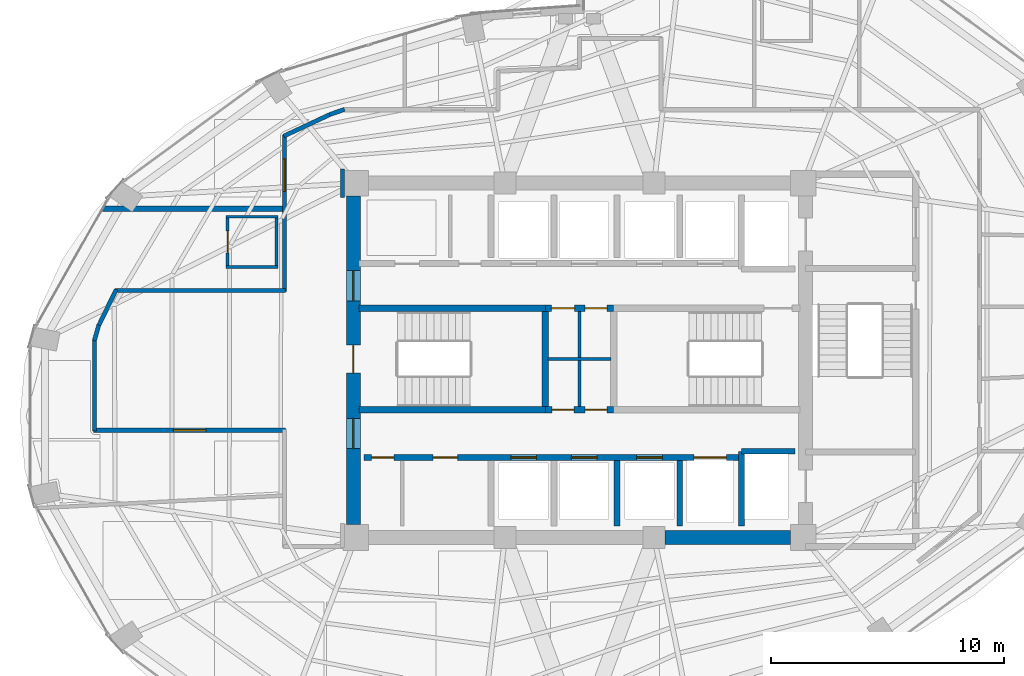
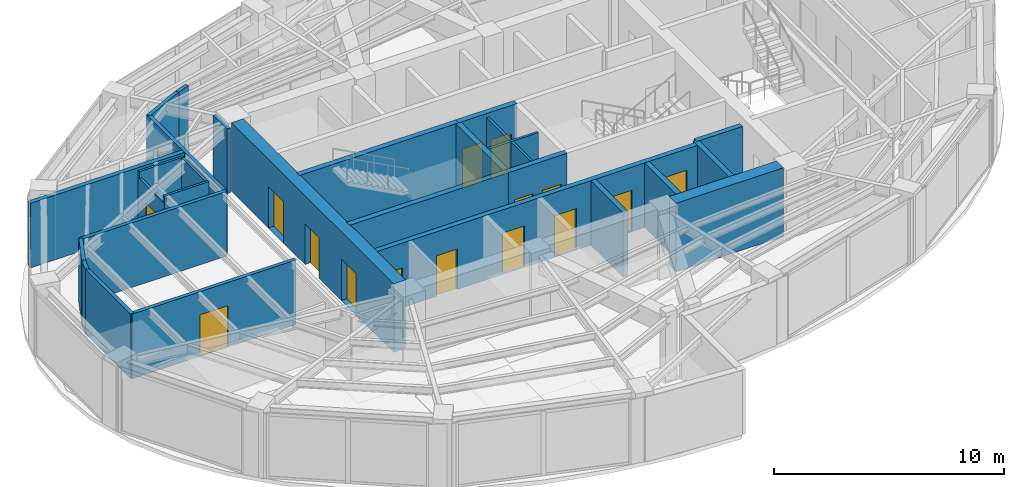
# One storey, part 16 of 20: 28 walls, 16 doors, 16 openings.
"""IFC4 building model written with IfcOpenShell, lengths in metres."""

from ifc_helpers import new_model, si_unit, direction, frame, frame_2d, origin, place, context, subcontext, project, spatial, rectangle, extrude, material, layer, layer_set, type_object, element, fill, save


model = new_model("IFC4")

# Units and contexts
model_context = context("Model", 3, precision=1e-05, world=origin(), true_north=direction((0.0, 1.0)))
body_context = subcontext(model_context, "Body", "Model", "MODEL_VIEW")
ifc_project = project(units=[si_unit("LENGTHUNIT", "METRE"), si_unit("AREAUNIT", "SQUARE_METRE"), si_unit("VOLUMEUNIT", "CUBIC_METRE"), si_unit("PLANEANGLEUNIT", "RADIAN"), si_unit("MASSUNIT", "GRAM", prefix="KILO")], contexts=[model_context])

# Site, building, storey
site_placement = place(None, origin())
site = spatial("IfcSite", under=ifc_project, at=site_placement, CompositionType="ELEMENT")
building_placement = place(site_placement, origin())
building = spatial("IfcBuilding", under=site, at=building_placement, Name="Lazwardi Medical Tower", CompositionType="ELEMENT")
storey_placement = place(building_placement, frame((0.0, 0.0, 141.93603515625)))
storey = spatial("IfcBuildingStorey", under=building, at=storey_placement, Name="L36", CompositionType="ELEMENT", Elevation=141.93603515625)

# Walls
ifc_material_1 = material(Name="Fire-rated gypsum board on steel stud", Category="steel")
ifc_layer_1 = layer(ifc_material_1, 0.179931640625)
ifc_layer_set_1 = layer_set([ifc_layer_1], Name="Fire-rated gypsum board on steel stud")
wall_type_1 = type_object("IfcWallType", Name="WL-COR-180", PredefinedType="PARTITIONING", material=ifc_layer_set_1)
wall_1_placement = place(storey_placement, frame((15.350341796875, 29.435791015625, 0.0), z_axis=(0.0, 0.0, 1.0), x_axis=(0.436196025907, 0.899851669434, 0.0)))
element("IfcWall", 1, at=wall_1_placement, inside=storey, type_object=wall_type_1, Name="L36 Corridor partition 1", PredefinedType="PARTITIONING", context=body_context, shape_type="SweptSolid", body=[
    extrude(rectangle(XDim=1.778076171875, YDim=0.179931640625, at=frame_2d((0.88916015625, 0.0))), origin(), (0.0, 0.0, 1.0), 3.427978515625),
])
wall_2_placement = place(storey_placement, frame((16.068359375, 31.0, 0.0), z_axis=(0.0, 0.0, 1.0), x_axis=(1.0, 0.0, 0.0)))
element("IfcWall", 2, at=wall_2_placement, inside=storey, type_object=wall_type_1, Name="L36 Corridor partition 2", PredefinedType="PARTITIONING", context=body_context, shape_type="SweptSolid", body=[
    extrude(rectangle(XDim=7.321533203125, YDim=0.179931640625, at=frame_2d((3.66064453125, 0.0))), origin(), (0.0, 0.0, 1.0), 3.427978515625),
])

# Wall, opening, door
wall_3_placement = place(storey_placement, frame((23.35009765625, 30.9599609375, 0.0), z_axis=(0.0, 0.0, 1.0), x_axis=(0.0, 1.0, 0.0)))
wall_3 = element("IfcWall", 3, at=wall_3_placement, inside=storey, type_object=wall_type_1, Name="L36 Corridor partition 3", PredefinedType="PARTITIONING", context=body_context, shape_type="SweptSolid", body=[
    extrude(rectangle(XDim=6.7138671875, YDim=0.179931640625, at=frame_2d((3.35693359375, 0.0))), origin(), (0.0, 0.0, 1.0), 3.427978515625),
])
opening_1_placement = place(wall_3_placement, frame((4.285400390625, 0.0, 0.0)))
opening_1 = element("IfcOpeningElement", 4, at=opening_1_placement, cuts=wall_3, Name="Opening D-L36-023", PredefinedType="OPENING", context=body_context, shape_type="SweptSolid", body=[
    extrude(rectangle(XDim=1.39990234375, YDim=2.199951171875, at=frame_2d((0.699951171875, 1.10009765625))), frame((0.0, 0.099853515625, 0.0), z_axis=(0.0, -1.0, 0.0), x_axis=(1.0, 0.0, 0.0)), (0.0, 0.0, 1.0), 0.199951171875),
])
ifc_material_2 = material(Name="Anti-microbial laminate hospital leaf")
door_type_1 = type_object("IfcDoorType", Name="DR-BED-1400", OperationType="NOTDEFINED", PredefinedType="DOOR", material=ifc_material_2)
door_1_placement = place(opening_1_placement, origin())
door_1 = element("IfcDoor", 5, at=door_1_placement, inside=storey, type_object=door_type_1, Name="L36 Patient Bedroom Door 09", OperationType="SINGLE_SWING_LEFT", OverallHeight=2.199951171875, OverallWidth=1.39990234375, PredefinedType="DOOR", context=body_context, shape_type="SweptSolid", body=[
    extrude(rectangle(XDim=1.39990234375, YDim=2.199951171875, at=frame_2d((0.699951171875, 1.10009765625))), frame((0.0, 0.02490234375, 0.0), z_axis=(0.0, -1.0, 0.0), x_axis=(1.0, 0.0, 0.0)), (0.0, 0.0, 1.0), 0.050048828125),
])
fill(opening_1, door_1)

# Walls
wall_4_placement = place(storey_placement, frame((23.313720703125, 37.616943359375, 0.0), z_axis=(0.0, 0.0, 1.0), x_axis=(0.905731790856, 0.423851298255, 0.0)))
element("IfcWall", 6, at=wall_4_placement, inside=storey, type_object=wall_type_1, Name="L36 Corridor partition 4", PredefinedType="PARTITIONING", context=body_context, shape_type="SweptSolid", body=[
    extrude(rectangle(XDim=2.255126953125, YDim=0.179931640625, at=frame_2d((1.12744140625, 0.0))), origin(), (0.0, 0.0, 1.0), 3.427978515625),
])
wall_5_placement = place(storey_placement, frame((25.2822265625, 38.54248046875, 0.0), z_axis=(0.0, 0.0, 1.0), x_axis=(0.94508059942, 0.326837361085, 0.0)))
element("IfcWall", 7, at=wall_5_placement, inside=storey, type_object=wall_type_1, Name="L36 Corridor partition 5", PredefinedType="PARTITIONING", context=body_context, shape_type="SweptSolid", body=[
    extrude(rectangle(XDim=0.67529296875, YDim=0.179931640625, at=frame_2d((0.337646484375, 0.0))), origin(), (0.0, 0.0, 1.0), 3.427978515625),
])
wall_6_placement = place(storey_placement, frame((25.830078125, 36.2099609375, 0.0), z_axis=(0.0, 0.0, 1.0), x_axis=(0.0, -1.0, 0.0)))
element("IfcWall", 8, at=wall_6_placement, inside=storey, type_object=wall_type_1, Name="L36 Corridor partition 15", PredefinedType="PARTITIONING", context=body_context, shape_type="SweptSolid", body=[
    extrude(rectangle(XDim=1.219970703125, YDim=0.179931640625, at=frame_2d((0.60986328125, 0.0))), origin(), (0.0, 0.0, 1.0), 3.427978515625),
])

# Wall, opening, door
wall_7_placement = place(storey_placement, frame((23.389892578125, 25.0, 0.0), z_axis=(0.0, 0.0, 1.0), x_axis=(-1.0, 0.0, 0.0)))
wall_7 = element("IfcWall", 9, at=wall_7_placement, inside=storey, type_object=wall_type_1, Name="L36 Corridor partition 19", PredefinedType="PARTITIONING", context=body_context, shape_type="SweptSolid", body=[
    extrude(rectangle(XDim=8.22998046875, YDim=0.179931640625, at=frame_2d((4.114990234375, 0.0))), origin(), (0.0, 0.0, 1.0), 3.427978515625),
])
opening_2_placement = place(wall_7_placement, frame((3.4150390625, 0.0, 0.0)))
opening_2 = element("IfcOpeningElement", 10, at=opening_2_placement, cuts=wall_7, Name="Opening D-L36-015", PredefinedType="OPENING", context=body_context, shape_type="SweptSolid", body=[
    extrude(rectangle(XDim=1.39990234375, YDim=2.199951171875, at=frame_2d((0.699951171875, 1.10009765625))), frame((0.0, 0.099853515625, 0.0), z_axis=(0.0, -1.0, 0.0), x_axis=(1.0, 0.0, 0.0)), (0.0, 0.0, 1.0), 0.199951171875),
])
door_2_placement = place(opening_2_placement, origin())
door_2 = element("IfcDoor", 11, at=door_2_placement, inside=storey, type_object=door_type_1, Name="L36 Inpatient Ward Door 01", OperationType="SINGLE_SWING_RIGHT", OverallHeight=2.199951171875, OverallWidth=1.39990234375, PredefinedType="DOOR", context=body_context, shape_type="SweptSolid", body=[
    extrude(rectangle(XDim=1.39990234375, YDim=2.199951171875, at=frame_2d((0.699951171875, 1.10009765625))), frame((0.0, 0.02490234375, 0.0), z_axis=(0.0, -1.0, 0.0), x_axis=(1.0, 0.0, 0.0)), (0.0, 0.0, 1.0), 0.050048828125),
])
fill(opening_2, door_2)

# Walls
wall_8_placement = place(storey_placement, frame((15.199951171875, 24.9599609375, 0.0), z_axis=(0.0, 0.0, 1.0), x_axis=(0.0, 1.0, 0.0)))
element("IfcWall", 12, at=wall_8_placement, inside=storey, type_object=wall_type_1, Name="L36 Corridor partition 20", PredefinedType="PARTITIONING", context=body_context, shape_type="SweptSolid", body=[
    extrude(rectangle(XDim=3.961181640625, YDim=0.179931640625, at=frame_2d((1.98046875, 0.0))), origin(), (0.0, 0.0, 1.0), 3.427978515625),
])
wall_9_placement = place(storey_placement, frame((15.189208984375, 28.842529296875, 0.0), z_axis=(0.0, 0.0, 1.0), x_axis=(0.272862960331, 0.962052911684, 0.0)))
element("IfcWall", 13, at=wall_9_placement, inside=storey, type_object=wall_type_1, Name="L36 Corridor partition 21", PredefinedType="PARTITIONING", context=body_context, shape_type="SweptSolid", body=[
    extrude(rectangle(XDim=0.6943359375, YDim=0.179931640625, at=frame_2d((0.34716796875, 0.0))), origin(), (0.0, 0.0, 1.0), 3.427978515625),
])

# Wall, openings, doors
ifc_material_3 = material(Name="Concrete C60/75", Category="concrete")
ifc_layer_2 = layer(ifc_material_3, 0.60009765625)
ifc_layer_set_2 = layer_set([ifc_layer_2], Name="Concrete C60/75")
wall_type_2 = type_object("IfcWallType", Name="WL-CORE-600", PredefinedType="SHEAR", material=ifc_layer_set_2)
wall_10_placement = place(storey_placement, frame((26.300048828125, 20.949951171875, 0.0), z_axis=(0.0, 0.0, 1.0), x_axis=(0.0, 1.0, 0.0)))
wall_10 = element("IfcWall", 14, at=wall_10_placement, inside=storey, type_object=wall_type_2, Name="Core wall CW-S3 west L36", PredefinedType="SHEAR", context=body_context, shape_type="SweptSolid", body=[
    extrude(rectangle(XDim=14.10009765625, YDim=0.60009765625, at=frame_2d((7.050048828125, 0.0))), origin(), (0.0, 0.0, 1.0), 3.64794921875),
])
opening_3_placement = place(wall_10_placement, frame((6.5, 0.0, 0.0)))
opening_3 = element("IfcOpeningElement", 15, at=opening_3_placement, cuts=wall_10, Name="Opening D-L36-024", PredefinedType="OPENING", context=body_context, shape_type="SweptSolid", body=[
    extrude(rectangle(XDim=1.199951171875, YDim=2.14990234375, at=frame_2d((0.60009765625, 1.074951171875))), frame((0.0, 0.31005859375, 0.0), z_axis=(0.0, -1.0, 0.0), x_axis=(1.0, 0.0, 0.0)), (0.0, 0.0, 1.0), 0.6201171875),
])
opening_4_placement = place(wall_10_placement, frame((9.60009765625, 0.0, 0.0)))
opening_4 = element("IfcOpeningElement", 16, at=opening_4_placement, cuts=wall_10, Name="Opening D-L36-013", PredefinedType="OPENING", context=body_context, shape_type="SweptSolid", body=[
    extrude(rectangle(XDim=1.300048828125, YDim=2.199951171875, at=frame_2d((0.64990234375, 1.10009765625))), frame((0.0, 0.31005859375, 0.0), z_axis=(0.0, -1.0, 0.0), x_axis=(1.0, 0.0, 0.0)), (0.0, 0.0, 1.0), 0.6201171875),
])
opening_5_placement = place(wall_10_placement, frame((3.260009765625, 0.0, 0.0)))
opening_5 = element("IfcOpeningElement", 17, at=opening_5_placement, cuts=wall_10, Name="Opening D-L36-014", PredefinedType="OPENING", context=body_context, shape_type="SweptSolid", body=[
    extrude(rectangle(XDim=1.300048828125, YDim=2.199951171875, at=frame_2d((0.64990234375, 1.10009765625))), frame((0.0, 0.31005859375, 0.0), z_axis=(0.0, -1.0, 0.0), x_axis=(1.0, 0.0, 0.0)), (0.0, 0.0, 1.0), 0.6201171875),
])
ifc_material_4 = material(Name="Fire-rated steel leaf and frame", Category="steel")
door_type_2 = type_object("IfcDoorType", Name="DR-FFL-1300", OperationType="NOTDEFINED", PredefinedType="DOOR", material=ifc_material_4)
door_3_placement = place(opening_4_placement, origin())
door_3 = element("IfcDoor", 18, at=door_3_placement, inside=storey, type_object=door_type_2, Name="L36 North Lift Lobby Door", OperationType="SINGLE_SWING_RIGHT", OverallHeight=2.199951171875, OverallWidth=1.300048828125, PredefinedType="DOOR", context=body_context, shape_type="SweptSolid", body=[
    extrude(rectangle(XDim=1.300048828125, YDim=2.199951171875, at=frame_2d((0.64990234375, 1.10009765625))), frame((0.0, 0.02490234375, 0.0), z_axis=(0.0, -1.0, 0.0), x_axis=(1.0, 0.0, 0.0)), (0.0, 0.0, 1.0), 0.050048828125),
])
fill(opening_4, door_3)
door_4_placement = place(opening_5_placement, origin())
door_4 = element("IfcDoor", 19, at=door_4_placement, inside=storey, type_object=door_type_2, Name="L36 South Lift Lobby Door", OperationType="SINGLE_SWING_LEFT", OverallHeight=2.199951171875, OverallWidth=1.300048828125, PredefinedType="DOOR", context=body_context, shape_type="SweptSolid", body=[
    extrude(rectangle(XDim=1.300048828125, YDim=2.199951171875, at=frame_2d((0.64990234375, 1.10009765625))), frame((0.0, 0.02490234375, 0.0), z_axis=(0.0, -1.0, 0.0), x_axis=(1.0, 0.0, 0.0)), (0.0, 0.0, 1.0), 0.050048828125),
])
fill(opening_5, door_4)
door_type_3 = type_object("IfcDoorType", Name="DR-STR-1200", OperationType="NOTDEFINED", PredefinedType="DOOR", material=ifc_material_4)
door_5_placement = place(opening_3_placement, origin())
door_5 = element("IfcDoor", 20, at=door_5_placement, inside=storey, type_object=door_type_3, Name="L36 Exit Stair ST1 Door", OperationType="SINGLE_SWING_RIGHT", OverallHeight=2.14990234375, OverallWidth=1.199951171875, PredefinedType="DOOR", context=body_context, shape_type="SweptSolid", body=[
    extrude(rectangle(XDim=1.199951171875, YDim=2.14990234375, at=frame_2d((0.60009765625, 1.074951171875))), frame((0.0, 0.02490234375, 0.0), z_axis=(0.0, -1.0, 0.0), x_axis=(1.0, 0.0, 0.0)), (0.0, 0.0, 1.0), 0.050048828125),
])
fill(opening_3, door_5)

# Walls
wall_11_placement = place(storey_placement, frame((39.675048828125, 20.39990234375, 0.0), z_axis=(0.0, 0.0, 1.0), x_axis=(1.0, 0.0, 0.0)))
element("IfcWall", 21, at=wall_11_placement, inside=storey, type_object=wall_type_2, Name="Core wall CW-S3 S3 L36", PredefinedType="SHEAR", context=body_context, shape_type="SweptSolid", body=[
    extrude(rectangle(XDim=5.375, YDim=0.60009765625, at=frame_2d((2.6875, 0.0))), origin(), (0.0, 0.0, 1.0), 3.64794921875),
])
ifc_material_5 = material(Name="Moisture-resistant gypsum board partition")
ifc_layer_3 = layer(ifc_material_5, 0.125)
ifc_layer_set_3 = layer_set([ifc_layer_3], Name="Moisture-resistant gypsum board partition")
wall_type_3 = type_object("IfcWallType", Name="WL-ENS-125", PredefinedType="PARTITIONING", material=ifc_layer_set_3)
wall_12_placement = place(storey_placement, frame((34.64990234375, 28.06005859375, 0.0), z_axis=(0.0, 0.0, 1.0), x_axis=(1.0, 0.0, 0.0)))
element("IfcWall", 22, at=wall_12_placement, inside=storey, type_object=wall_type_3, Name="L36 Core 4-way H divider", PredefinedType="PARTITIONING", context=body_context, shape_type="SweptSolid", body=[
    extrude(rectangle(XDim=2.7001953125, YDim=0.125, at=frame_2d((1.35009765625, 0.0))), origin(), (0.0, 0.0, 1.0), 3.427978515625),
])
wall_13_placement = place(storey_placement, frame((36.0, 26.02001953125, 0.0), z_axis=(0.0, 0.0, 1.0), x_axis=(0.0, 1.0, 0.0)))
element("IfcWall", 23, at=wall_13_placement, inside=storey, type_object=wall_type_3, Name="L36 Core 4-way V divider", PredefinedType="PARTITIONING", context=body_context, shape_type="SweptSolid", body=[
    extrude(rectangle(XDim=4.080078125, YDim=0.125, at=frame_2d((2.0400390625, 0.0))), origin(), (0.0, 0.0, 1.0), 3.427978515625),
])
for number, where, z_axis, x_axis, name in (
    (24, (20.844970703125, 34.159912109375, 0.0), (0.0, 0.0, 1.0), (1.0, 0.0, 0.0), "L36 En-suite wall 1N"),
    (25, (20.844970703125, 32.0, 0.0), (0.0, 0.0, 1.0), (1.0, 0.0, 0.0), "L36 En-suite wall 1S"),
):
    element("IfcWall", number, at=place(storey_placement, frame(where, z_axis=z_axis, x_axis=x_axis)), inside=storey, type_object=wall_type_3, Name=name, PredefinedType="PARTITIONING", context=body_context, shape_type="SweptSolid", body=[
        extrude(rectangle(XDim=2.219970703125, YDim=0.125, at=frame_2d((1.10986328125, 0.0))), origin(), (0.0, 0.0, 1.0), 3.427978515625),
    ])
wall_14_placement = place(storey_placement, frame((23.0048828125, 31.93994140625, 0.0), z_axis=(0.0, 0.0, 1.0), x_axis=(0.0, 1.0, 0.0)))
element("IfcWall", 26, at=wall_14_placement, inside=storey, type_object=wall_type_3, Name="L36 En-suite wall 1E", PredefinedType="PARTITIONING", context=body_context, shape_type="SweptSolid", body=[
    extrude(rectangle(XDim=2.280029296875, YDim=0.125, at=frame_2d((1.14013671875, 0.0))), origin(), (0.0, 0.0, 1.0), 3.427978515625),
])

# Wall, opening, door
wall_15_placement = place(storey_placement, frame((20.905029296875, 31.93994140625, 0.0), z_axis=(0.0, 0.0, 1.0), x_axis=(0.0, 1.0, 0.0)))
wall_15 = element("IfcWall", 27, at=wall_15_placement, inside=storey, type_object=wall_type_3, Name="L36 En-suite wall 1W", PredefinedType="PARTITIONING", context=body_context, shape_type="SweptSolid", body=[
    extrude(rectangle(XDim=2.280029296875, YDim=0.125, at=frame_2d((1.14013671875, 0.0))), origin(), (0.0, 0.0, 1.0), 3.052978515625),
])
opening_6_placement = place(wall_15_placement, frame((0.6650390625, 0.0, 0.0)))
opening_6 = element("IfcOpeningElement", 28, at=opening_6_placement, cuts=wall_15, Name="Opening D-L36-005", PredefinedType="OPENING", context=body_context, shape_type="SweptSolid", body=[
    extrude(rectangle(XDim=0.949951171875, YDim=2.10009765625, at=frame_2d((0.47509765625, 1.050048828125))), frame((0.0, 0.072509765625, 0.0), z_axis=(0.0, -1.0, 0.0), x_axis=(1.0, 0.0, 0.0)), (0.0, 0.0, 1.0), 0.14501953125),
])
ifc_material_6 = material(Name="Moisture-resistant laminate door leaf")
door_type_4 = type_object("IfcDoorType", Name="DR-ENS-950", OperationType="NOTDEFINED", PredefinedType="DOOR", material=ifc_material_6)
door_6_placement = place(opening_6_placement, origin())
door_6 = element("IfcDoor", 29, at=door_6_placement, inside=storey, type_object=door_type_4, Name="L36 En-suite Door 01", OperationType="SINGLE_SWING_LEFT", OverallHeight=2.10009765625, OverallWidth=0.949951171875, PredefinedType="DOOR", context=body_context, shape_type="SweptSolid", body=[
    extrude(rectangle(XDim=0.949951171875, YDim=2.10009765625, at=frame_2d((0.47509765625, 1.050048828125))), frame((0.0, 0.02490234375, 0.0), z_axis=(0.0, -1.0, 0.0), x_axis=(1.0, 0.0, 0.0)), (0.0, 0.0, 1.0), 0.050048828125),
])
fill(opening_6, door_6)

# Wall, openings, doors
ifc_material_7 = material(Name="Autoclaved aerated concrete blockwork", Category="masonry")
ifc_layer_4 = layer(ifc_material_7, 0.25)
ifc_layer_set_4 = layer_set([ifc_layer_4], Name="Autoclaved aerated concrete blockwork")
wall_type_4 = type_object("IfcWallType", Name="WL-SHAFT-250", PredefinedType="SOLIDWALL", material=ifc_layer_set_4)
wall_16_placement = place(storey_placement, frame((26.75, 23.830078125, 0.0), z_axis=(0.0, 0.0, 1.0), x_axis=(1.0, 0.0, 0.0)))
wall_16 = element("IfcWall", 30, at=wall_16_placement, inside=storey, type_object=wall_type_4, Name="L36 South lift bank front wall", PredefinedType="SOLIDWALL", context=body_context, shape_type="SweptSolid", body=[
    extrude(rectangle(XDim=16.199951171875, YDim=0.25, at=frame_2d((8.10009765625, 0.0))), origin(), (0.0, 0.0, 1.0), 3.427978515625),
])
opening_7_placement = place(wall_16_placement, frame((0.3349609375, 0.0, 0.0)))
opening_7 = element("IfcOpeningElement", 31, at=opening_7_placement, cuts=wall_16, Name="Opening D-L36-009", PredefinedType="OPENING", context=body_context, shape_type="SweptSolid", body=[
    extrude(rectangle(XDim=0.949951171875, YDim=2.10009765625, at=frame_2d((0.47509765625, 1.050048828125))), frame((0.0, 0.135009765625, 0.0), z_axis=(0.0, -1.0, 0.0), x_axis=(1.0, 0.0, 0.0)), (0.0, 0.0, 1.0), 0.27001953125),
])
opening_8_placement = place(wall_16_placement, frame((2.97509765625, 0.0, 0.0)))
opening_8 = element("IfcOpeningElement", 32, at=opening_8_placement, cuts=wall_16, Name="Opening D-L36-010", PredefinedType="OPENING", context=body_context, shape_type="SweptSolid", body=[
    extrude(rectangle(XDim=1.050048828125, YDim=2.14990234375, at=frame_2d((0.52490234375, 1.074951171875))), frame((0.0, 0.135009765625, 0.0), z_axis=(0.0, -1.0, 0.0), x_axis=(1.0, 0.0, 0.0)), (0.0, 0.0, 1.0), 0.27001953125),
])
opening_9_placement = place(wall_16_placement, frame((6.300048828125, 0.0, 0.0)))
opening_9 = element("IfcOpeningElement", 33, at=opening_9_placement, cuts=wall_16, Name="Opening LD-L36-006", PredefinedType="OPENING", context=body_context, shape_type="SweptSolid", body=[
    extrude(rectangle(XDim=1.10009765625, YDim=2.199951171875, at=frame_2d((0.550048828125, 1.10009765625))), frame((0.0, 0.135009765625, 0.0), z_axis=(0.0, -1.0, 0.0), x_axis=(1.0, 0.0, 0.0)), (0.0, 0.0, 1.0), 0.27001953125),
])
opening_10_placement = place(wall_16_placement, frame((8.89990234375, 0.0, 0.0)))
opening_10 = element("IfcOpeningElement", 34, at=opening_10_placement, cuts=wall_16, Name="Opening LD-L36-007", PredefinedType="OPENING", context=body_context, shape_type="SweptSolid", body=[
    extrude(rectangle(XDim=1.10009765625, YDim=2.199951171875, at=frame_2d((0.550048828125, 1.10009765625))), frame((0.0, 0.135009765625, 0.0), z_axis=(0.0, -1.0, 0.0), x_axis=(1.0, 0.0, 0.0)), (0.0, 0.0, 1.0), 0.27001953125),
])
opening_11_placement = place(wall_16_placement, frame((11.699951171875, 0.0, 0.0)))
opening_11 = element("IfcOpeningElement", 35, at=opening_11_placement, cuts=wall_16, Name="Opening LD-L36-010", PredefinedType="OPENING", context=body_context, shape_type="SweptSolid", body=[
    extrude(rectangle(XDim=1.10009765625, YDim=2.199951171875, at=frame_2d((0.550048828125, 1.10009765625))), frame((0.0, 0.135009765625, 0.0), z_axis=(0.0, -1.0, 0.0), x_axis=(1.0, 0.0, 0.0)), (0.0, 0.0, 1.0), 0.27001953125),
])
opening_12_placement = place(wall_16_placement, frame((14.14990234375, 0.0, 0.0)))
opening_12 = element("IfcOpeningElement", 36, at=opening_12_placement, cuts=wall_16, Name="Opening LD-L36-003", PredefinedType="OPENING", context=body_context, shape_type="SweptSolid", body=[
    extrude(rectangle(XDim=1.39990234375, YDim=2.300048828125, at=frame_2d((0.699951171875, 1.14990234375))), frame((0.0, 0.135009765625, 0.0), z_axis=(0.0, -1.0, 0.0), x_axis=(1.0, 0.0, 0.0)), (0.0, 0.0, 1.0), 0.27001953125),
])
door_type_5 = type_object("IfcDoorType", Name="DR-CLN-1050", OperationType="NOTDEFINED", PredefinedType="DOOR", material=ifc_material_2)
door_7_placement = place(opening_8_placement, origin())
door_7 = element("IfcDoor", 37, at=door_7_placement, inside=storey, type_object=door_type_5, Name="L36 Medication Door", OperationType="SINGLE_SWING_LEFT", OverallHeight=2.14990234375, OverallWidth=1.050048828125, PredefinedType="DOOR", context=body_context, shape_type="SweptSolid", body=[
    extrude(rectangle(XDim=1.050048828125, YDim=2.14990234375, at=frame_2d((0.52490234375, 1.074951171875))), frame((0.0, 0.02490234375, 0.0), z_axis=(0.0, -1.0, 0.0), x_axis=(1.0, 0.0, 0.0)), (0.0, 0.0, 1.0), 0.050048828125),
])
fill(opening_8, door_7)
door_8_placement = place(opening_7_placement, origin())
door_8 = element("IfcDoor", 38, at=door_8_placement, inside=storey, type_object=door_type_4, Name="L36 Utility Door", OperationType="SINGLE_SWING_RIGHT", OverallHeight=2.10009765625, OverallWidth=0.949951171875, PredefinedType="DOOR", context=body_context, shape_type="SweptSolid", body=[
    extrude(rectangle(XDim=0.949951171875, YDim=2.10009765625, at=frame_2d((0.47509765625, 1.050048828125))), frame((0.0, 0.02490234375, 0.0), z_axis=(0.0, -1.0, 0.0), x_axis=(1.0, 0.0, 0.0)), (0.0, 0.0, 1.0), 0.050048828125),
])
fill(opening_7, door_8)
ifc_material_8 = material(Name="Brushed bronze stainless steel landing door", Category="steel")
door_type_6 = type_object("IfcDoorType", Name="DR-LFT-1100", OperationType="NOTDEFINED", PredefinedType="DOOR", material=ifc_material_8)
door_9_placement = place(opening_9_placement, origin())
door_9 = element("IfcDoor", 39, at=door_9_placement, inside=storey, type_object=door_type_6, Name="L36 Lift Landing Door PL-07", OperationType="SLIDING_TO_LEFT", OverallHeight=2.199951171875, OverallWidth=1.10009765625, PredefinedType="DOOR", context=body_context, shape_type="SweptSolid", body=[
    extrude(rectangle(XDim=1.10009765625, YDim=2.199951171875, at=frame_2d((0.550048828125, 1.10009765625))), frame((0.0, 0.02490234375, 0.0), z_axis=(0.0, -1.0, 0.0), x_axis=(1.0, 0.0, 0.0)), (0.0, 0.0, 1.0), 0.050048828125),
])
fill(opening_9, door_9)
door_10_placement = place(opening_10_placement, origin())
door_10 = element("IfcDoor", 40, at=door_10_placement, inside=storey, type_object=door_type_6, Name="L36 Lift Landing Door PL-08", OperationType="SLIDING_TO_LEFT", OverallHeight=2.199951171875, OverallWidth=1.10009765625, PredefinedType="DOOR", context=body_context, shape_type="SweptSolid", body=[
    extrude(rectangle(XDim=1.10009765625, YDim=2.199951171875, at=frame_2d((0.550048828125, 1.10009765625))), frame((0.0, 0.02490234375, 0.0), z_axis=(0.0, -1.0, 0.0), x_axis=(1.0, 0.0, 0.0)), (0.0, 0.0, 1.0), 0.050048828125),
])
fill(opening_10, door_10)
door_11_placement = place(opening_11_placement, origin())
door_11 = element("IfcDoor", 41, at=door_11_placement, inside=storey, type_object=door_type_6, Name="L36 Lift Landing Door PL-11", OperationType="SLIDING_TO_LEFT", OverallHeight=2.199951171875, OverallWidth=1.10009765625, PredefinedType="DOOR", context=body_context, shape_type="SweptSolid", body=[
    extrude(rectangle(XDim=1.10009765625, YDim=2.199951171875, at=frame_2d((0.550048828125, 1.10009765625))), frame((0.0, 0.02490234375, 0.0), z_axis=(0.0, -1.0, 0.0), x_axis=(1.0, 0.0, 0.0)), (0.0, 0.0, 1.0), 0.050048828125),
])
fill(opening_11, door_11)
ifc_material_9 = material(Name="Brushed stainless steel bed-lift landing door", Category="steel")
door_type_7 = type_object("IfcDoorType", Name="DR-LFT-1400", OperationType="NOTDEFINED", PredefinedType="DOOR", material=ifc_material_9)
door_12_placement = place(opening_12_placement, origin())
door_12 = element("IfcDoor", 42, at=door_12_placement, inside=storey, type_object=door_type_7, Name="L36 Lift Landing Door FL-03", OperationType="SLIDING_TO_LEFT", OverallHeight=2.300048828125, OverallWidth=1.39990234375, PredefinedType="DOOR", context=body_context, shape_type="SweptSolid", body=[
    extrude(rectangle(XDim=1.39990234375, YDim=2.300048828125, at=frame_2d((0.699951171875, 1.14990234375))), frame((0.0, 0.02490234375, 0.0), z_axis=(0.0, -1.0, 0.0), x_axis=(1.0, 0.0, 0.0)), (0.0, 0.0, 1.0), 0.050048828125),
])
fill(opening_12, door_12)

# Walls
wall_17_placement = place(storey_placement, frame((42.949951171875, 20.89990234375, 0.0), z_axis=(0.0, 0.0, 1.0), x_axis=(0.0, 1.0, 0.0)))
element("IfcWall", 43, at=wall_17_placement, inside=storey, type_object=wall_type_4, Name="L36 FL-02 West shaft wall", PredefinedType="SOLIDWALL", context=body_context, shape_type="SweptSolid", body=[
    extrude(rectangle(XDim=3.2001953125, YDim=0.25, at=frame_2d((1.60009765625, 0.0))), origin(), (0.0, 0.0, 1.0), 3.427978515625),
])
wall_18_placement = place(storey_placement, frame((42.949951171875, 24.10009765625, 0.0), z_axis=(0.0, 0.0, 1.0), x_axis=(1.0, 0.0, 0.0)))
element("IfcWall", 44, at=wall_18_placement, inside=storey, type_object=wall_type_4, Name="L36 FL-02 North shaft wall", PredefinedType="SOLIDWALL", context=body_context, shape_type="SweptSolid", body=[
    extrude(rectangle(XDim=2.300048828125, YDim=0.25, at=frame_2d((1.14990234375, 0.0))), origin(), (0.0, 0.0, 1.0), 3.427978515625),
])
for number, where, z_axis, x_axis, name in (
    (45, (37.60009765625, 20.89990234375, 0.0), (0.0, 0.0, 1.0), (0.0, 1.0, 0.0), "L36 South hoistway divider"),
    (46, (40.300048828125, 20.89990234375, 0.0), (0.0, 0.0, 1.0), (0.0, 1.0, 0.0), "L36 South hoistway divider"),
):
    element("IfcWall", number, at=place(storey_placement, frame(where, z_axis=z_axis, x_axis=x_axis)), inside=storey, type_object=wall_type_4, Name=name, PredefinedType="SOLIDWALL", context=body_context, shape_type="SweptSolid", body=[
        extrude(rectangle(XDim=2.800048828125, YDim=0.25, at=frame_2d((1.39990234375, 0.0))), origin(), (0.0, 0.0, 1.0), 3.427978515625),
    ])
ifc_layer_5 = layer(ifc_material_1, 0.219970703125)
ifc_layer_set_5 = layer_set([ifc_layer_5], Name="Fire-rated gypsum board on steel stud")
wall_type_5 = type_object("IfcWallType", Name="WL-SMK-220", PredefinedType="PARTITIONING", material=ifc_layer_set_5)
wall_19_placement = place(storey_placement, frame((15.5439453125, 34.5, 0.0), z_axis=(0.0, 0.0, 1.0), x_axis=(1.0, 0.0, 0.0)))
element("IfcWall", 47, at=wall_19_placement, inside=storey, type_object=wall_type_5, Name="L36 Room partition 2", PredefinedType="PARTITIONING", context=body_context, shape_type="SweptSolid", body=[
    extrude(rectangle(XDim=7.716064453125, YDim=0.219970703125, at=frame_2d((3.85791015625, 0.0))), origin(), (0.0, 0.0, 1.0), 3.427978515625),
])
ifc_material_10 = material(Name="Concrete C50/60", Category="concrete")
ifc_layer_6 = layer(ifc_material_10, 0.27001953125)
ifc_layer_set_6 = layer_set([ifc_layer_6], Name="Concrete C50/60")
wall_type_6 = type_object("IfcWallType", Name="WL-STR-250", PredefinedType="SHEAR", material=ifc_layer_set_6)
wall_20_placement = place(storey_placement, frame((26.550048828125, 30.235107421875, 0.0), z_axis=(0.0, 0.0, 1.0), x_axis=(1.0, 0.0, 0.0)))
element("IfcWall", 48, at=wall_20_placement, inside=storey, type_object=wall_type_6, Name="L36 ST1 North shear shaft wall SW-S1", PredefinedType="SHEAR", context=body_context, shape_type="SweptSolid", body=[
    extrude(rectangle(XDim=7.98486328125, YDim=0.27001953125, at=frame_2d((3.992431640625, 0.0))), origin(), (0.0, 0.0, 1.0), 3.64794921875),
])

# Wall, openings, doors
wall_21_placement = place(storey_placement, frame((34.534912109375, 30.235107421875, 0.0), z_axis=(0.0, 0.0, 1.0), x_axis=(1.0, 0.0, 0.0)))
wall_21 = element("IfcWall", 49, at=wall_21_placement, inside=storey, type_object=wall_type_6, Name="L36 Core service North shear wall SW-S1", PredefinedType="SHEAR", context=body_context, shape_type="SweptSolid", body=[
    extrude(rectangle(XDim=2.93017578125, YDim=0.27001953125, at=frame_2d((1.465087890625, 0.0))), origin(), (0.0, 0.0, 1.0), 3.64794921875),
])
opening_13_placement = place(wall_21_placement, frame((0.2548828125, 0.0, 0.0)))
opening_13 = element("IfcOpeningElement", 50, at=opening_13_placement, cuts=wall_21, Name="Opening D-L36-003", PredefinedType="OPENING", context=body_context, shape_type="SweptSolid", body=[
    extrude(rectangle(XDim=1.0, YDim=2.10009765625, at=frame_2d((0.5, 1.050048828125))), frame((0.0, 0.14501953125, 0.0), z_axis=(0.0, -1.0, 0.0), x_axis=(1.0, 0.0, 0.0)), (0.0, 0.0, 1.0), 0.2900390625),
])
opening_14_placement = place(wall_21_placement, frame((1.699951171875, 0.0, 0.0)))
opening_14 = element("IfcOpeningElement", 51, at=opening_14_placement, cuts=wall_21, Name="Opening D-L36-004", PredefinedType="OPENING", context=body_context, shape_type="SweptSolid", body=[
    extrude(rectangle(XDim=0.949951171875, YDim=2.10009765625, at=frame_2d((0.47509765625, 1.050048828125))), frame((0.0, 0.14501953125, 0.0), z_axis=(0.0, -1.0, 0.0), x_axis=(1.0, 0.0, 0.0)), (0.0, 0.0, 1.0), 0.2900390625),
])
door_type_8 = type_object("IfcDoorType", Name="DR-AWC-1000", OperationType="NOTDEFINED", PredefinedType="DOOR", material=ifc_material_6)
door_13_placement = place(opening_13_placement, origin())
door_13 = element("IfcDoor", 52, at=door_13_placement, inside=storey, type_object=door_type_8, Name="L36 Accessible WC Door", OperationType="SINGLE_SWING_RIGHT", OverallHeight=2.10009765625, OverallWidth=1.0, PredefinedType="DOOR", context=body_context, shape_type="SweptSolid", body=[
    extrude(rectangle(XDim=1.0, YDim=2.10009765625, at=frame_2d((0.5, 1.050048828125))), frame((0.0, 0.02490234375, 0.0), z_axis=(0.0, -1.0, 0.0), x_axis=(1.0, 0.0, 0.0)), (0.0, 0.0, 1.0), 0.050048828125),
])
fill(opening_13, door_13)
door_14_placement = place(opening_14_placement, origin())
door_14 = element("IfcDoor", 53, at=door_14_placement, inside=storey, type_object=door_type_4, Name="L36 Clean Utility Door", OperationType="SINGLE_SWING_LEFT", OverallHeight=2.10009765625, OverallWidth=0.949951171875, PredefinedType="DOOR", context=body_context, shape_type="SweptSolid", body=[
    extrude(rectangle(XDim=0.949951171875, YDim=2.10009765625, at=frame_2d((0.47509765625, 1.050048828125))), frame((0.0, 0.02490234375, 0.0), z_axis=(0.0, -1.0, 0.0), x_axis=(1.0, 0.0, 0.0)), (0.0, 0.0, 1.0), 0.050048828125),
])
fill(opening_14, door_14)

# Wall
wall_22_placement = place(storey_placement, frame((26.550048828125, 25.885009765625, 0.0), z_axis=(0.0, 0.0, 1.0), x_axis=(1.0, 0.0, 0.0)))
element("IfcWall", 54, at=wall_22_placement, inside=storey, type_object=wall_type_6, Name="L36 ST1 South shear shaft wall SW-S1", PredefinedType="SHEAR", context=body_context, shape_type="SweptSolid", body=[
    extrude(rectangle(XDim=7.98486328125, YDim=0.27001953125, at=frame_2d((3.992431640625, 0.0))), origin(), (0.0, 0.0, 1.0), 3.64794921875),
])

# Wall, openings, doors
wall_23_placement = place(storey_placement, frame((34.534912109375, 25.885009765625, 0.0), z_axis=(0.0, 0.0, 1.0), x_axis=(1.0, 0.0, 0.0)))
wall_23 = element("IfcWall", 55, at=wall_23_placement, inside=storey, type_object=wall_type_6, Name="L36 Core service South shear wall SW-S1", PredefinedType="SHEAR", context=body_context, shape_type="SweptSolid", body=[
    extrude(rectangle(XDim=2.93017578125, YDim=0.27001953125, at=frame_2d((1.465087890625, 0.0))), origin(), (0.0, 0.0, 1.0), 3.64794921875),
])
opening_15_placement = place(wall_23_placement, frame((0.280029296875, 0.0, 0.0)))
opening_15 = element("IfcOpeningElement", 56, at=opening_15_placement, cuts=wall_23, Name="Opening D-L36-001", PredefinedType="OPENING", context=body_context, shape_type="SweptSolid", body=[
    extrude(rectangle(XDim=0.949951171875, YDim=2.10009765625, at=frame_2d((0.47509765625, 1.050048828125))), frame((0.0, 0.14501953125, 0.0), z_axis=(0.0, -1.0, 0.0), x_axis=(1.0, 0.0, 0.0)), (0.0, 0.0, 1.0), 0.2900390625),
])
opening_16_placement = place(wall_23_placement, frame((1.699951171875, 0.0, 0.0)))
opening_16 = element("IfcOpeningElement", 57, at=opening_16_placement, cuts=wall_23, Name="Opening D-L36-002", PredefinedType="OPENING", context=body_context, shape_type="SweptSolid", body=[
    extrude(rectangle(XDim=0.949951171875, YDim=2.10009765625, at=frame_2d((0.47509765625, 1.050048828125))), frame((0.0, 0.14501953125, 0.0), z_axis=(0.0, -1.0, 0.0), x_axis=(1.0, 0.0, 0.0)), (0.0, 0.0, 1.0), 0.2900390625),
])
door_15_placement = place(opening_15_placement, origin())
door_15 = element("IfcDoor", 58, at=door_15_placement, inside=storey, type_object=door_type_4, Name="L36 Staff WC Door", OperationType="SINGLE_SWING_RIGHT", OverallHeight=2.10009765625, OverallWidth=0.949951171875, PredefinedType="DOOR", context=body_context, shape_type="SweptSolid", body=[
    extrude(rectangle(XDim=0.949951171875, YDim=2.10009765625, at=frame_2d((0.47509765625, 1.050048828125))), frame((0.0, 0.02490234375, 0.0), z_axis=(0.0, -1.0, 0.0), x_axis=(1.0, 0.0, 0.0)), (0.0, 0.0, 1.0), 0.050048828125),
])
fill(opening_15, door_15)
door_16_placement = place(opening_16_placement, origin())
door_16 = element("IfcDoor", 59, at=door_16_placement, inside=storey, type_object=door_type_4, Name="L36 Comms Room Door", OperationType="SINGLE_SWING_LEFT", OverallHeight=2.10009765625, OverallWidth=0.949951171875, PredefinedType="DOOR", context=body_context, shape_type="SweptSolid", body=[
    extrude(rectangle(XDim=0.949951171875, YDim=2.10009765625, at=frame_2d((0.47509765625, 1.050048828125))), frame((0.0, 0.02490234375, 0.0), z_axis=(0.0, -1.0, 0.0), x_axis=(1.0, 0.0, 0.0)), (0.0, 0.0, 1.0), 0.050048828125),
])
fill(opening_16, door_16)

# Wall
wall_24_placement = place(storey_placement, frame((34.534912109375, 26.02001953125, 0.0), z_axis=(0.0, 0.0, 1.0), x_axis=(0.0, 1.0, 0.0)))
element("IfcWall", 60, at=wall_24_placement, inside=storey, type_object=wall_type_6, Name="L36 ST1 East shear shaft wall SW-S1", PredefinedType="SHEAR", context=body_context, shape_type="SweptSolid", body=[
    extrude(rectangle(XDim=4.080078125, YDim=0.27001953125, at=frame_2d((2.0400390625, 0.0))), origin(), (0.0, 0.0, 1.0), 3.64794921875),
])

save(model, "model.ifc")
